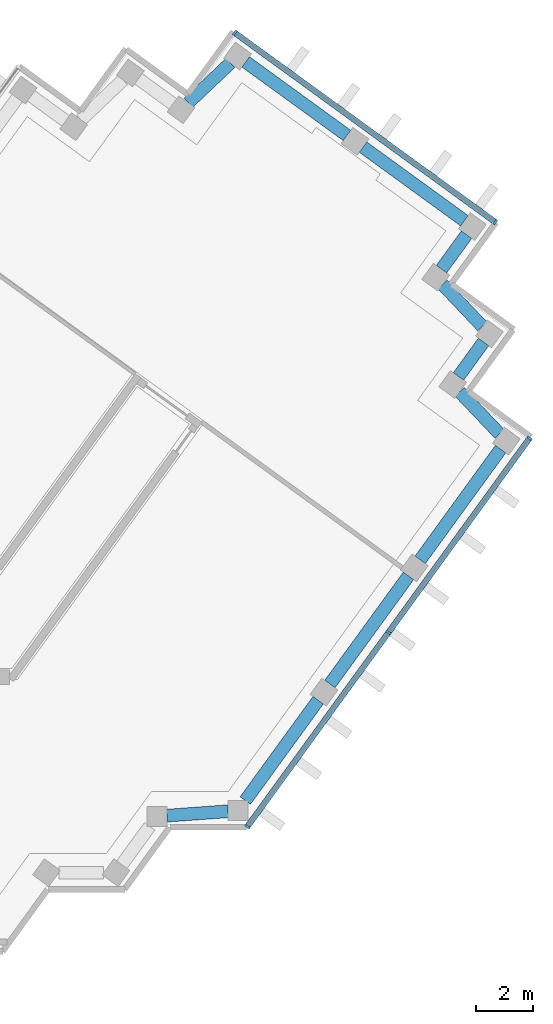
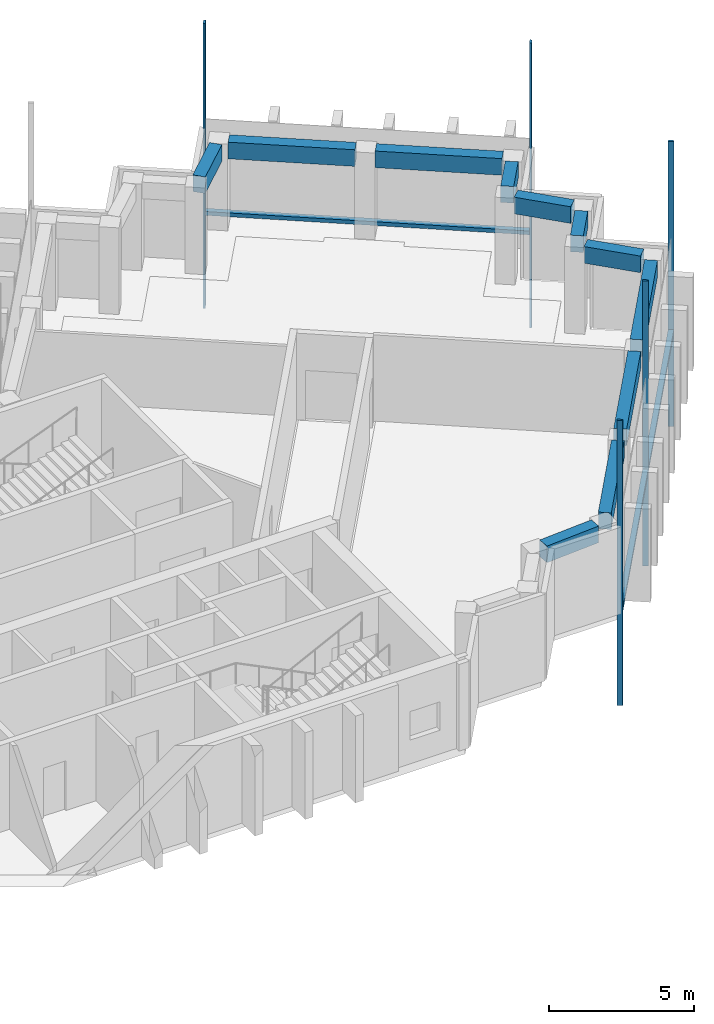
# One storey, part 6 of 14: 11 beams, 8 members, 2 elements without a shape of their own.
"""IFC4 building model written with IfcOpenShell, lengths in metres."""

from ifc_helpers import new_model, si_unit, direction, frame, origin, origin_2d, place, context, subcontext, project, spatial, rectangle, extrude, material, material_profile, profile_set, type_object, element, aggregate, save


model = new_model("IFC4")

# Units and contexts
model_context = context("Model", 3, precision=1e-05, world=origin(), true_north=direction((0.0, 1.0)))
body_context = subcontext(model_context, "Body", "Model", "MODEL_VIEW")
ifc_project = project(units=[si_unit("LENGTHUNIT", "METRE"), si_unit("AREAUNIT", "SQUARE_METRE"), si_unit("VOLUMEUNIT", "CUBIC_METRE"), si_unit("PLANEANGLEUNIT", "RADIAN"), si_unit("MASSUNIT", "GRAM", prefix="KILO")], contexts=[model_context])

# Site, building, storey
site_placement = place(None, origin())
site = spatial("IfcSite", under=ifc_project, at=site_placement, CompositionType="ELEMENT")
building_placement = place(site_placement, origin())
building = spatial("IfcBuilding", under=site, at=building_placement, Name="Quipu Civic Tower", CompositionType="ELEMENT")
storey_placement = place(building_placement, frame((0.0, 0.0, 257.0)))
storey = spatial("IfcBuildingStorey", under=building, at=storey_placement, Name="L60", CompositionType="ELEMENT", Elevation=257.0)

# Curtain wall, members
ifc_material_1 = material(Name="Insulated glass unit", Category="glass")
curtain_wall_type = type_object("IfcCurtainWallType", Name="Office curtain wall CW1", PredefinedType="NOTDEFINED", material=ifc_material_1)
curtain_wall_1_placement = place(storey_placement, origin())
curtain_wall_1 = element("IfcCurtainWall", 1, at=curtain_wall_1_placement, inside=storey, type_object=curtain_wall_type, Name="Office curtain wall CW1 L59 run 13", PredefinedType="NOTDEFINED")
ifc_material_2 = material(Name="Anodised aluminium", Category="aluminium")
ifc_material_profile_1 = material_profile(ifc_material_2, rectangle(XDim=0.199951171875, YDim=0.080078125, at=origin_2d()), Name="RECT 200x80")
ifc_profile_set_1 = profile_set([ifc_material_profile_1], Name="Anodised aluminium")
member_type_1 = type_object("IfcMemberType", Name="Mullion CW1", PredefinedType="MULLION", material=ifc_profile_set_1)
member_1_placement = place(storey_placement, frame((28.853271484375, -6.698974609375, -3.919921875), z_axis=(0.0, 0.0, 1.0), x_axis=(-0.809016278475, 0.587786237643, 0.0)))
member_1 = element("IfcMember", 2, at=member_1_placement, type_object=member_type_1, Name="CW1 mullion 1", PredefinedType="MULLION", context=body_context, shape_type="SweptSolid", body=[
    extrude(rectangle(XDim=0.199951171875, YDim=0.080078125, at=origin_2d()), origin(), (0.0, 0.0, 1.0), 12.0),
])
member_2_placement = place(storey_placement, frame((33.81298828125, 0.12744140625, -3.919921875), z_axis=(0.0, 0.0, 1.0), x_axis=(-0.809016278475, 0.587786237643, 0.0)))
member_2 = element("IfcMember", 3, at=member_2_placement, type_object=member_type_1, Name="CW1 mullion 2", PredefinedType="MULLION", context=body_context, shape_type="SweptSolid", body=[
    extrude(rectangle(XDim=0.199951171875, YDim=0.080078125, at=origin_2d()), origin(), (0.0, 0.0, 1.0), 12.0),
])
member_3_placement = place(storey_placement, frame((38.772705078125, 6.953857421875, -3.919921875), z_axis=(0.0, 0.0, 1.0), x_axis=(-0.809016278475, 0.587786237643, 0.0)))
member_3 = element("IfcMember", 4, at=member_3_placement, type_object=member_type_1, Name="CW1 mullion 3", PredefinedType="MULLION", context=body_context, shape_type="SweptSolid", body=[
    extrude(rectangle(XDim=0.199951171875, YDim=0.080078125, at=origin_2d()), origin(), (0.0, 0.0, 1.0), 12.0),
])

curtain_wall_2_placement = place(storey_placement, origin())
curtain_wall_2 = element("IfcCurtainWall", 5, at=curtain_wall_2_placement, inside=storey, type_object=curtain_wall_type, Name="Office curtain wall CW1 L59 run 18", PredefinedType="NOTDEFINED")
member_4_placement = place(storey_placement, frame((37.569091796875, 14.552490234375, -3.919921875), z_axis=(0.0, 0.0, 1.0), x_axis=(-0.587787753918, -0.809015176832, 0.0)))
member_4 = element("IfcMember", 6, at=member_4_placement, type_object=member_type_1, Name="CW1 mullion 1", PredefinedType="MULLION", context=body_context, shape_type="SweptSolid", body=[
    extrude(rectangle(XDim=0.199951171875, YDim=0.080078125, at=origin_2d()), origin(), (0.0, 0.0, 1.0), 12.0),
])
member_5_placement = place(storey_placement, frame((28.4111328125, 21.206298828125, -3.919921875), z_axis=(0.0, 0.0, 1.0), x_axis=(-0.587787753918, -0.809015176832, 0.0)))
member_5 = element("IfcMember", 7, at=member_5_placement, type_object=member_type_1, Name="CW1 mullion 2", PredefinedType="MULLION", context=body_context, shape_type="SweptSolid", body=[
    extrude(rectangle(XDim=0.199951171875, YDim=0.080078125, at=origin_2d()), origin(), (0.0, 0.0, 1.0), 12.0),
])

# Beams
ifc_material_3 = material(Name="Concrete C50/60", Category="concrete")
ifc_material_profile_2 = material_profile(ifc_material_3, rectangle(XDim=0.449951171875, YDim=0.699951171875, at=origin_2d()), Name="RC450x700")
ifc_profile_set_2 = profile_set([ifc_material_profile_2], Name="Concrete C50/60")
beam_type = type_object("IfcBeamType", Name="Spandrel beam RC 450x700 C50/60", PredefinedType="SPANDREL", material=ifc_profile_set_2)
beam_1_placement = place(storey_placement, frame((26.0244140625, -6.3115234375, 3.300048828125), z_axis=(0.997379352029, 0.072349347934, 0.0), x_axis=(-0.072349347934, 0.997379352029, 0.0)))
element("IfcBeam", 8, at=beam_1_placement, inside=storey, type_object=beam_type, Name="Spandrel beam L60 J-Eo.3 to J-Eo.4", PredefinedType="SPANDREL", context=body_context, shape_type="SweptSolid", body=[
    extrude(rectangle(XDim=0.449951171875, YDim=0.699951171875, at=origin_2d()), origin(), (0.0, 0.0, 1.0), 2.15625),
])
beam_2_placement = place(storey_placement, frame((28.779296875, -5.780029296875, 3.300048828125), z_axis=(0.58777550284, 0.809024077677, 0.0), x_axis=(-0.809024077677, 0.58777550284, 0.0)))
element("IfcBeam", 9, at=beam_2_placement, inside=storey, type_object=beam_type, Name="Spandrel beam L60 J-Eo.4 to E-OUT-01", PredefinedType="SPANDREL", context=body_context, shape_type="SweptSolid", body=[
    extrude(rectangle(XDim=0.449951171875, YDim=0.699951171875, at=origin_2d()), origin(), (0.0, 0.0, 1.0), 4.36083984375),
])
beam_3_placement = place(storey_placement, frame((31.75390625, -1.685546875, 3.300048828125), z_axis=(0.587788656305, 0.809014521204, 0.0), x_axis=(-0.809014521204, 0.587788656305, 0.0)))
element("IfcBeam", 10, at=beam_3_placement, inside=storey, type_object=beam_type, Name="Spandrel beam L60 E-OUT-01 to E-OUT-02", PredefinedType="SPANDREL", context=body_context, shape_type="SweptSolid", body=[
    extrude(rectangle(XDim=0.449951171875, YDim=0.699951171875, at=origin_2d()), origin(), (0.0, 0.0, 1.0), 4.7001953125),
])
beam_4_placement = place(storey_placement, frame((34.927978515625, 2.68310546875, 3.300048828125), z_axis=(0.587905928359, 0.808929304328, 0.0), x_axis=(-0.808929304328, 0.587905928359, 0.0)))
element("IfcBeam", 11, at=beam_4_placement, inside=storey, type_object=beam_type, Name="Spandrel beam L60 E-OUT-02 to T-Eo.0-E22", PredefinedType="SPANDREL", context=body_context, shape_type="SweptSolid", body=[
    extrude(rectangle(XDim=0.449951171875, YDim=0.699951171875, at=origin_2d()), origin(), (0.0, 0.0, 1.0), 4.80712890625),
])
beam_5_placement = place(storey_placement, frame((37.71484375, 7.11279296875, 3.300048828125), z_axis=(-0.689175330605, 0.724594620244, 0.0), x_axis=(-0.724594620244, -0.689175330605, 0.0)))
element("IfcBeam", 12, at=beam_5_placement, inside=storey, type_object=beam_type, Name="Spandrel beam L60 T-Eo.0-E22 to T-Eo.1-E22", PredefinedType="SPANDREL", context=body_context, shape_type="SweptSolid", body=[
    extrude(rectangle(XDim=0.449951171875, YDim=0.699951171875, at=origin_2d()), origin(), (0.0, 0.0, 1.0), 2.033447265625),
])
beam_6_placement = place(storey_placement, frame((36.273681640625, 9.12744140625, 3.300048828125), z_axis=(0.587164895097, 0.809467347066, 0.0), x_axis=(-0.809467347066, 0.587164895097, 0.0)))
element("IfcBeam", 13, at=beam_6_placement, inside=storey, type_object=beam_type, Name="Spandrel beam L60 T-Eo.1-E22 to T-Eo.2-E22", PredefinedType="SPANDREL", context=body_context, shape_type="SweptSolid", body=[
    extrude(rectangle(XDim=0.449951171875, YDim=0.699951171875, at=origin_2d()), origin(), (0.0, 0.0, 1.0), 1.500244140625),
])
beam_7_placement = place(storey_placement, frame((37.114990234375, 10.88330078125, 3.300048828125), z_axis=(-0.688247466856, 0.725475998477, 0.0), x_axis=(-0.725475998477, -0.688247466856, 0.0)))
element("IfcBeam", 14, at=beam_7_placement, inside=storey, type_object=beam_type, Name="Spandrel beam L60 T-Eo.2-E22 to T-Eo.3-E22", PredefinedType="SPANDREL", context=body_context, shape_type="SweptSolid", body=[
    extrude(rectangle(XDim=0.449951171875, YDim=0.699951171875, at=origin_2d()), origin(), (0.0, 0.0, 1.0), 2.032958984375),
])
beam_8_placement = place(storey_placement, frame((35.6767578125, 12.8994140625, 3.300048828125), z_axis=(0.588345920092, 0.808609348394, 0.0), x_axis=(-0.808609348394, 0.588345920092, 0.0)))
element("IfcBeam", 15, at=beam_8_placement, inside=storey, type_object=beam_type, Name="Spandrel beam L60 T-Eo.3-E22 to T-Eo.4-E22", PredefinedType="SPANDREL", context=body_context, shape_type="SweptSolid", body=[
    extrude(rectangle(XDim=0.449951171875, YDim=0.699951171875, at=origin_2d()), origin(), (0.0, 0.0, 1.0), 1.499755859375),
])
beam_9_placement = place(storey_placement, frame((36.481689453125, 14.6005859375, 3.300048828125), z_axis=(-0.809117270763, 0.587647208921, 0.0), x_axis=(-0.587647208921, -0.809117270763, 0.0)))
element("IfcBeam", 16, at=beam_9_placement, inside=storey, type_object=beam_type, Name="Spandrel beam L60 T-Eo.4-E22 to TIP-E-01-E22", PredefinedType="SPANDREL", context=body_context, shape_type="SweptSolid", body=[
    extrude(rectangle(XDim=0.449951171875, YDim=0.699951171875, at=origin_2d()), origin(), (0.0, 0.0, 1.0), 4.40185546875),
])
beam_10_placement = place(storey_placement, frame((32.353759765625, 17.5986328125, 3.300048828125), z_axis=(-0.809146152767, 0.587607439931, 0.0), x_axis=(-0.587607439931, -0.809146152767, 0.0)))
element("IfcBeam", 17, at=beam_10_placement, inside=storey, type_object=beam_type, Name="Spandrel beam L60 TIP-E-01-E22 to T-Ei.0-E22", PredefinedType="SPANDREL", context=body_context, shape_type="SweptSolid", body=[
    extrude(rectangle(XDim=0.449951171875, YDim=0.699951171875, at=origin_2d()), origin(), (0.0, 0.0, 1.0), 4.400390625),
])
beam_11_placement = place(storey_placement, frame((28.251708984375, 20.14501953125, 3.300048828125), z_axis=(-0.725359138958, -0.688370626574, 0.0), x_axis=(0.688370626574, -0.725359138958, 0.0)))
element("IfcBeam", 18, at=beam_11_placement, inside=storey, type_object=beam_type, Name="Spandrel beam L60 T-Ei.0-E22 to T-Ei.1-E22", PredefinedType="SPANDREL", context=body_context, shape_type="SweptSolid", body=[
    extrude(rectangle(XDim=0.449951171875, YDim=0.699951171875, at=origin_2d()), origin(), (0.0, 0.0, 1.0), 2.032958984375),
])

# Member
ifc_material_4 = material(Name="Anodised aluminium", Category="aluminium")
ifc_material_profile_3 = material_profile(ifc_material_4, rectangle(XDim=0.199951171875, YDim=0.159912109375, at=origin_2d()), Name="RECT 200x160")
ifc_profile_set_3 = profile_set([ifc_material_profile_3], Name="Anodised aluminium")
member_type_2 = type_object("IfcMemberType", Name="Transom CW1", PredefinedType="USERDEFINED", material=ifc_profile_set_3)
member_6_placement = place(storey_placement, frame((28.876708984375, -6.66650390625, 0.080078125), z_axis=(0.587812107925, 0.808997481935, 0.0), x_axis=(-0.808997481935, 0.587812107925, 0.0)))
member_6 = element("IfcMember", 19, at=member_6_placement, type_object=member_type_2, Name="CW1 transom 1.2", ObjectType="TRANSOM", PredefinedType="USERDEFINED", context=body_context, shape_type="SweptSolid", body=[
    extrude(rectangle(XDim=0.199951171875, YDim=0.159912109375, at=origin_2d()), origin(), (0.0, 0.0, 1.0), 8.35791015625),
])

member_7_placement = place(storey_placement, frame((33.83642578125, 0.15966796875, 0.080078125), z_axis=(0.587779098815, 0.809021465102, 0.0), x_axis=(-0.809021465102, 0.587779098815, 0.0)))
member_7 = element("IfcMember", 20, at=member_7_placement, type_object=member_type_2, Name="CW1 transom 2.2", ObjectType="TRANSOM", PredefinedType="USERDEFINED", context=body_context, shape_type="SweptSolid", body=[
    extrude(rectangle(XDim=0.199951171875, YDim=0.159912109375, at=origin_2d()), origin(), (0.0, 0.0, 1.0), 8.35791015625),
])

aggregate(curtain_wall_1, [member_1, member_2, member_3, member_6, member_7])

member_8_placement = place(storey_placement, frame((37.536865234375, 14.575927734375, 0.080078125), z_axis=(-0.809022463805, 0.587777724194, 0.0), x_axis=(-0.587777724194, -0.809022463805, 0.0)))
member_8 = element("IfcMember", 21, at=member_8_placement, type_object=member_type_2, Name="CW1 transom 1.2", ObjectType="TRANSOM", PredefinedType="USERDEFINED", context=body_context, shape_type="SweptSolid", body=[
    extrude(rectangle(XDim=0.199951171875, YDim=0.159912109375, at=origin_2d()), origin(), (0.0, 0.0, 1.0), 11.240234375),
])

aggregate(curtain_wall_2, [member_4, member_5, member_8])

save(model, "model.ifc")
